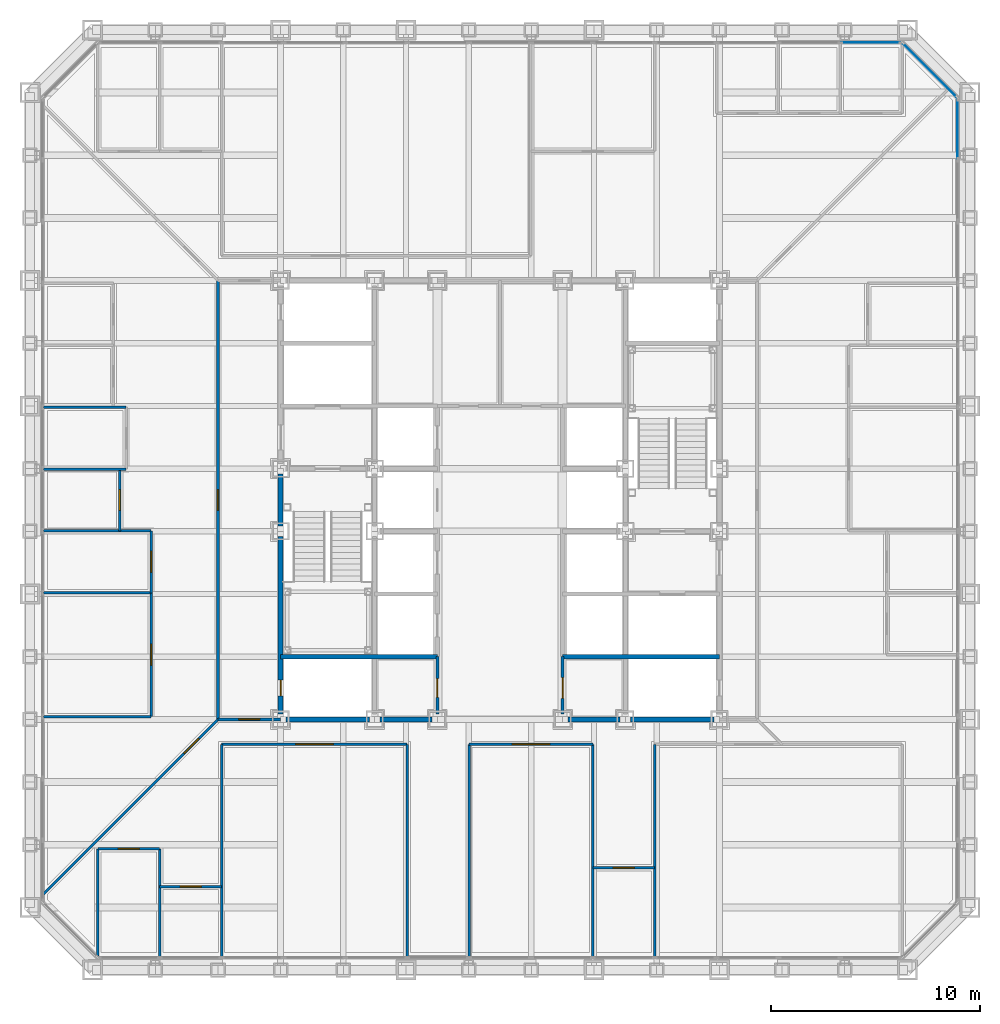
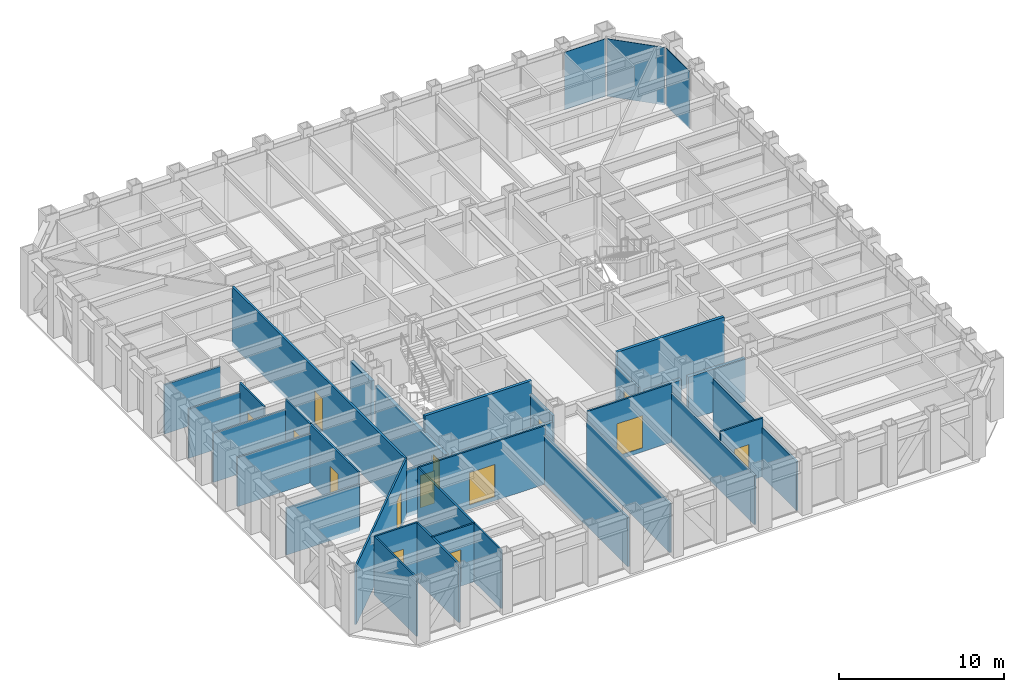
# One storey, part 8 of 17: 33 walls, 14 doors, 3 plates, 14 openings, 3 elements without a shape of their own.
"""IFC4 building model written with IfcOpenShell, lengths in metres."""

from ifc_helpers import new_model, si_unit, direction, frame, frame_2d, origin, origin_2d, place, context, subcontext, project, spatial, rectangle, extrude, material, layer, layer_set, type_object, element, fill, aggregate, save


model = new_model("IFC4")

# Units and contexts
model_context = context("Model", 3, precision=1e-05, world=origin(), true_north=direction((0.0, 1.0)))
body_context = subcontext(model_context, "Body", "Model", "MODEL_VIEW")
ifc_project = project(units=[si_unit("LENGTHUNIT", "METRE"), si_unit("AREAUNIT", "SQUARE_METRE"), si_unit("VOLUMEUNIT", "CUBIC_METRE"), si_unit("PLANEANGLEUNIT", "RADIAN"), si_unit("MASSUNIT", "GRAM", prefix="KILO")], contexts=[model_context])

# Site, building, storey
site_placement = place(None, origin())
site = spatial("IfcSite", under=ifc_project, at=site_placement, CompositionType="ELEMENT")
building_placement = place(site_placement, origin())
building = spatial("IfcBuilding", under=site, at=building_placement, Name="Chuquiago Exchange Tower", CompositionType="ELEMENT")
storey_placement = place(building_placement, frame((0.0, 0.0, 64.800048828125)))
storey = spatial("IfcBuildingStorey", under=building, at=storey_placement, Name="L13", CompositionType="ELEMENT", Elevation=64.800048828125)

# Curtain wall, plate
ifc_material_1 = material(Name="Aluminium curtain wall system", Category="aluminium")
ifc_layer_1 = layer(ifc_material_1, 0.25)
ifc_layer_set_1 = layer_set([ifc_layer_1], Name="CW1 trading floor curtain wall")
curtain_wall_type_1 = type_object("IfcCurtainWallType", Name="CW1 trading floor curtain wall", PredefinedType="NOTDEFINED", material=ifc_layer_set_1)
curtain_wall_1_placement = place(storey_placement, origin())
curtain_wall_1 = element("IfcCurtainWall", 1, at=curtain_wall_1_placement, inside=storey, type_object=curtain_wall_type_1, Name="CW1 curtain wall L13", PredefinedType="NOTDEFINED")
ifc_material_2 = material(Name="Insulated spandrel panel, pale anodised aluminium", Category="aluminium")
ifc_layer_2 = layer(ifc_material_2, 0.031982421875)
ifc_layer_set_2 = layer_set([ifc_layer_2], Name="CW1-P spandrel panel 32")
plate_type_1 = type_object("IfcPlateType", Name="CW1-P spandrel panel 32", PredefinedType="CURTAIN_PANEL", material=ifc_layer_set_2)
plate_1_placement = place(storey_placement, frame((44.39990234375, 40.251953125, -0.22509765625), z_axis=(0.0, 0.0, 1.0), x_axis=(0.0, 1.0, 0.0)))
plate_1 = element("IfcPlate", 2, at=plate_1_placement, type_object=plate_type_1, Name="CW1 panel 13.1", PredefinedType="CURTAIN_PANEL", context=body_context, shape_type="SweptSolid", body=[
    extrude(rectangle(XDim=2.849365234375, YDim=0.031982421875, at=origin_2d()), origin(), (0.0, 0.0, 1.0), 4.264892578125),
])
aggregate(curtain_wall_1, [plate_1])

curtain_wall_2_placement = place(storey_placement, origin())
curtain_wall_2 = element("IfcCurtainWall", 3, at=curtain_wall_2_placement, inside=storey, type_object=curtain_wall_type_1, Name="CW1 curtain wall L13", PredefinedType="NOTDEFINED")
plate_2_placement = place(storey_placement, frame((40.251953125, 44.39990234375, -0.22509765625), z_axis=(0.0, 0.0, 1.0), x_axis=(-1.0, 0.0, 0.0)))
plate_2 = element("IfcPlate", 4, at=plate_2_placement, type_object=plate_type_1, Name="CW1 panel 1.1", PredefinedType="CURTAIN_PANEL", context=body_context, shape_type="SweptSolid", body=[
    extrude(rectangle(XDim=2.849365234375, YDim=0.031982421875, at=origin_2d()), origin(), (0.0, 0.0, 1.0), 4.264892578125),
])
aggregate(curtain_wall_2, [plate_2])

ifc_material_3 = material(Name="Aluminium curtain wall system", Category="aluminium")
ifc_layer_3 = layer(ifc_material_3, 0.199951171875)
ifc_layer_set_3 = layer_set([ifc_layer_3], Name="CW3 facet curtain wall")
curtain_wall_type_2 = type_object("IfcCurtainWallType", Name="CW3 facet curtain wall", PredefinedType="NOTDEFINED", material=ifc_layer_set_3)
curtain_wall_3_placement = place(storey_placement, origin())
curtain_wall_3 = element("IfcCurtainWall", 5, at=curtain_wall_3_placement, inside=storey, type_object=curtain_wall_type_2, Name="CW3 curtain wall L13", PredefinedType="NOTDEFINED")
ifc_material_4 = material(Name="Insulated spandrel panel, pale anodised aluminium", Category="aluminium")
ifc_layer_4 = layer(ifc_material_4, 0.030029296875)
ifc_layer_set_4 = layer_set([ifc_layer_4], Name="CW3-P spandrel panel 30")
plate_type_2 = type_object("IfcPlateType", Name="CW3-P spandrel panel 30", PredefinedType="CURTAIN_PANEL", material=ifc_layer_set_4)
plate_3_placement = place(storey_placement, frame((43.07568359375, 43.07568359375, -0.235107421875), z_axis=(0.0, 0.0, 1.0), x_axis=(-0.707106781187, 0.707106781187, 0.0)))
plate_3 = element("IfcPlate", 6, at=plate_3_placement, type_object=plate_type_2, Name="CW3 panel 1.1", PredefinedType="CURTAIN_PANEL", context=body_context, shape_type="SweptSolid", body=[
    extrude(rectangle(XDim=3.615478515625, YDim=0.030029296875, at=origin_2d()), origin(), (0.0, 0.0, 1.0), 4.27490234375),
])
aggregate(curtain_wall_3, [plate_3])

# Wall, opening, door
ifc_material_5 = material(Name="Concrete masonry, fully grouted", Category="masonry")
ifc_layer_5 = layer(ifc_material_5, 0.25)
ifc_layer_set_5 = layer_set([ifc_layer_5], Name="W1 core wall 250")
wall_type_1 = type_object("IfcWallType", Name="W1 core wall 250", PredefinedType="SOLIDWALL", material=ifc_layer_set_5)
wall_1_placement = place(storey_placement, frame((12.0, 12.25, 0.0), z_axis=(0.0, 0.0, 1.0), x_axis=(0.0, 1.0, 0.0)))
wall_1 = element("IfcWall", 7, at=wall_1_placement, inside=storey, type_object=wall_type_1, Name="CW-L13-00-0", PredefinedType="SOLIDWALL", context=body_context, shape_type="SweptSolid", body=[
    extrude(rectangle(XDim=8.5, YDim=0.25, at=frame_2d((4.25, 0.0))), origin(), (0.0, 0.0, 1.0), 3.11279296875),
])
opening_1_placement = place(wall_1_placement, frame((0.875, 0.0, 0.0)))
opening_1 = element("IfcOpeningElement", 8, at=opening_1_placement, cuts=wall_1, Name="Opening L13-007", PredefinedType="OPENING", context=body_context, shape_type="SweptSolid", body=[
    extrude(rectangle(XDim=0.75, YDim=2.10009765625, at=frame_2d((0.375, 1.050048828125))), frame((0.0, 0.135009765625, 0.0), z_axis=(0.0, -1.0, 0.0), x_axis=(1.0, 0.0, 0.0)), (0.0, 0.0, 1.0), 0.27001953125),
])
ifc_material_6 = material(Name="Steel door, painted", Category="steel")
door_type_1 = type_object("IfcDoorType", Name="D6 riser access door 750x2100", OperationType="SINGLE_SWING_LEFT", PredefinedType="DOOR", material=ifc_material_6)
door_1_placement = place(opening_1_placement, origin())
door_1 = element("IfcDoor", 9, at=door_1_placement, inside=storey, type_object=door_type_1, Name="Riser RW1 door", OperationType="SINGLE_SWING_LEFT", OverallHeight=2.10009765625, OverallWidth=0.75, PredefinedType="DOOR", context=body_context, shape_type="SweptSolid", body=[
    extrude(rectangle(XDim=0.75, YDim=2.10009765625, at=frame_2d((0.375, 1.050048828125))), frame((0.0, 0.02490234375, 0.0), z_axis=(0.0, -1.0, 0.0), x_axis=(1.0, 0.0, 0.0)), (0.0, 0.0, 1.0), 0.050048828125),
])
fill(opening_1, door_1)

# Walls
wall_2_placement = place(storey_placement, frame((12.0, 21.25, 0.0), z_axis=(0.0, 0.0, 1.0), x_axis=(0.0, 1.0, 0.0)))
element("IfcWall", 10, at=wall_2_placement, inside=storey, type_object=wall_type_1, Name="CW-L13-00-1", PredefinedType="SOLIDWALL", context=body_context, shape_type="SweptSolid", body=[
    extrude(rectangle(XDim=2.5, YDim=0.25, at=frame_2d((1.25, 0.0))), origin(), (0.0, 0.0, 1.0), 3.11279296875),
])
wall_3_placement = place(storey_placement, frame((12.25, 12.0, 0.0), z_axis=(0.0, 0.0, 1.0), x_axis=(1.0, 0.0, 0.0)))
element("IfcWall", 11, at=wall_3_placement, inside=storey, type_object=wall_type_1, Name="CW-L13-01-0", PredefinedType="SOLIDWALL", context=body_context, shape_type="SweptSolid", body=[
    extrude(rectangle(XDim=4.0, YDim=0.25, at=frame_2d((2.0, 0.0))), origin(), (0.0, 0.0, 1.0), 3.181396484375),
])
for number, where, z_axis, x_axis, name in (
    (12, (16.75, 12.0, 0.0), (0.0, 0.0, 1.0), (1.0, 0.0, 0.0), "CW-L13-01-1"),
    (13, (25.75, 12.0, 0.0), (0.0, 0.0, 1.0), (1.0, 0.0, 0.0), "CW-L13-02-0"),
):
    element("IfcWall", number, at=place(storey_placement, frame(where, z_axis=z_axis, x_axis=x_axis)), inside=storey, type_object=wall_type_1, Name=name, PredefinedType="SOLIDWALL", context=body_context, shape_type="SweptSolid", body=[
        extrude(rectangle(XDim=2.5, YDim=0.25, at=frame_2d((1.25, 0.0))), origin(), (0.0, 0.0, 1.0), 3.181396484375),
    ])
wall_4_placement = place(storey_placement, frame((28.75, 12.0, 0.0), z_axis=(0.0, 0.0, 1.0), x_axis=(1.0, 0.0, 0.0)))
element("IfcWall", 14, at=wall_4_placement, inside=storey, type_object=wall_type_1, Name="CW-L13-02-1", PredefinedType="SOLIDWALL", context=body_context, shape_type="SweptSolid", body=[
    extrude(rectangle(XDim=4.0, YDim=0.25, at=frame_2d((2.0, 0.0))), origin(), (0.0, 0.0, 1.0), 3.181396484375),
])

# Wall, opening, door
ifc_material_7 = material(Name="Gypsum board on steel studs, acoustic insulation", Category="steel")
ifc_layer_6 = layer(ifc_material_7, 0.14990234375)
ifc_layer_set_6 = layer_set([ifc_layer_6], Name="W11 corridor wall 150")
wall_type_2 = type_object("IfcWallType", Name="W11 corridor wall 150", PredefinedType="PARTITIONING", material=ifc_layer_set_6)
wall_5_placement = place(storey_placement, frame((9.0, 12.0, -0.300048828125), z_axis=(0.0, 0.0, 1.0), x_axis=(0.0, 1.0, 0.0)))
wall_5 = element("IfcWall", 15, at=wall_5_placement, inside=storey, type_object=wall_type_2, Name="PW-L13-GW0", PredefinedType="PARTITIONING", context=body_context, shape_type="SweptSolid", body=[
    extrude(rectangle(XDim=21.0, YDim=0.14990234375, at=frame_2d((10.5, 0.0))), origin(), (0.0, 0.0, 1.0), 4.340087890625),
])
opening_2_placement = place(wall_5_placement, frame((10.0, 0.0, 0.300048828125)))
opening_2 = element("IfcOpeningElement", 16, at=opening_2_placement, cuts=wall_5, Name="Opening L13-043", PredefinedType="OPENING", context=body_context, shape_type="SweptSolid", body=[
    extrude(rectangle(XDim=1.0, YDim=2.39990234375, at=frame_2d((0.5, 1.199951171875))), frame((0.0, 0.0849609375, 0.0), z_axis=(0.0, -1.0, 0.0), x_axis=(1.0, 0.0, 0.0)), (0.0, 0.0, 1.0), 0.169921875),
])
ifc_material_8 = material(Name="Timber door, laminate faced", Category="wood")
door_type_2 = type_object("IfcDoorType", Name="D9 room door 1000x2400", OperationType="SINGLE_SWING_LEFT", PredefinedType="DOOR", material=ifc_material_8)
door_2_placement = place(opening_2_placement, origin())
door_2 = element("IfcDoor", 17, at=door_2_placement, inside=storey, type_object=door_type_2, Name="Team area door", OperationType="SINGLE_SWING_LEFT", OverallHeight=2.39990234375, OverallWidth=1.0, PredefinedType="DOOR", context=body_context, shape_type="SweptSolid", body=[
    extrude(rectangle(XDim=1.0, YDim=2.39990234375, at=frame_2d((0.5, 1.199951171875))), frame((0.0, 0.02490234375, 0.0), z_axis=(0.0, -1.0, 0.0), x_axis=(1.0, 0.0, 0.0)), (0.0, 0.0, 1.0), 0.050048828125),
])
fill(opening_2, door_2)

wall_6_placement = place(storey_placement, frame((9.0, 12.0, -0.300048828125), z_axis=(0.0, 0.0, 1.0), x_axis=(1.0, 0.0, 0.0)))
wall_6 = element("IfcWall", 18, at=wall_6_placement, inside=storey, type_object=wall_type_2, Name="PW-L13-GWS0", PredefinedType="PARTITIONING", context=body_context, shape_type="SweptSolid", body=[
    extrude(rectangle(XDim=3.0, YDim=0.14990234375, at=frame_2d((1.5, 0.0))), origin(), (0.0, 0.0, 1.0), 3.4814453125),
])
opening_3_placement = place(wall_6_placement, frame((1.0, 0.0, 0.300048828125)))
opening_3 = element("IfcOpeningElement", 19, at=opening_3_placement, cuts=wall_6, Name="Opening L13-045", PredefinedType="OPENING", context=body_context, shape_type="SweptSolid", body=[
    extrude(rectangle(XDim=1.0, YDim=2.39990234375, at=frame_2d((0.5, 1.199951171875))), frame((0.0, 0.0849609375, 0.0), z_axis=(0.0, -1.0, 0.0), x_axis=(1.0, 0.0, 0.0)), (0.0, 0.0, 1.0), 0.169921875),
])
door_3_placement = place(opening_3_placement, origin())
door_3 = element("IfcDoor", 20, at=door_3_placement, inside=storey, type_object=door_type_2, Name="Team area door", OperationType="SINGLE_SWING_RIGHT", OverallHeight=2.39990234375, OverallWidth=1.0, PredefinedType="DOOR", context=body_context, shape_type="SweptSolid", body=[
    extrude(rectangle(XDim=1.0, YDim=2.39990234375, at=frame_2d((0.5, 1.199951171875))), frame((0.0, 0.02490234375, 0.0), z_axis=(0.0, -1.0, 0.0), x_axis=(1.0, 0.0, 0.0)), (0.0, 0.0, 1.0), 0.050048828125),
])
fill(opening_3, door_3)

# Walls
ifc_material_9 = material(Name="Concrete masonry, fully grouted", Category="masonry")
ifc_layer_7 = layer(ifc_material_9, 0.199951171875)
ifc_layer_set_7 = layer_set([ifc_layer_7], Name="W2 shaft wall 200")
wall_type_3 = type_object("IfcWallType", Name="W2 shaft wall 200", PredefinedType="SOLIDWALL", material=ifc_layer_set_7)
for number, where, z_axis, x_axis, name in (
    (21, (12.0, 15.0, 0.0), (0.0, 0.0, 1.0), (1.0, 0.0, 0.0), "CW-L13-03-0"),
    (22, (25.5, 15.0, 0.0), (0.0, 0.0, 1.0), (1.0, 0.0, 0.0), "CW-L13-04-0"),
):
    element("IfcWall", number, at=place(storey_placement, frame(where, z_axis=z_axis, x_axis=x_axis)), inside=storey, type_object=wall_type_3, Name=name, PredefinedType="SOLIDWALL", context=body_context, shape_type="SweptSolid", body=[
        extrude(rectangle(XDim=7.5, YDim=0.199951171875, at=frame_2d((3.75, 0.0))), origin(), (0.0, 0.0, 1.0), 4.33984375),
    ])

# Wall, opening, door
ifc_material_10 = material(Name="Gypsum board on steel studs", Category="steel")
ifc_layer_8 = layer(ifc_material_10, 0.14990234375)
ifc_layer_set_8 = layer_set([ifc_layer_8], Name="W3 core partition 150")
wall_type_4 = type_object("IfcWallType", Name="W3 core partition 150", PredefinedType="PARTITIONING", material=ifc_layer_set_8)
wall_7_placement = place(storey_placement, frame((19.5, 12.25, 0.0), z_axis=(0.0, 0.0, 1.0), x_axis=(0.0, 1.0, 0.0)))
wall_7 = element("IfcWall", 23, at=wall_7_placement, inside=storey, type_object=wall_type_4, Name="CW-L13-18-0", PredefinedType="PARTITIONING", context=body_context, shape_type="SweptSolid", body=[
    extrude(rectangle(XDim=2.75, YDim=0.14990234375, at=frame_2d((1.375, 0.0))), origin(), (0.0, 0.0, 1.0), 3.364501953125),
])
opening_4_placement = place(wall_7_placement, frame((0.800048828125, 0.0, 0.0)))
opening_4 = element("IfcOpeningElement", 24, at=opening_4_placement, cuts=wall_7, Name="Opening L13-014", PredefinedType="OPENING", context=body_context, shape_type="SweptSolid", body=[
    extrude(rectangle(XDim=0.89990234375, YDim=2.10009765625, at=frame_2d((0.449951171875, 1.050048828125))), frame((0.0, 0.0849609375, 0.0), z_axis=(0.0, -1.0, 0.0), x_axis=(1.0, 0.0, 0.0)), (0.0, 0.0, 1.0), 0.169921875),
])
ifc_material_11 = material(Name="Timber door, laminate faced", Category="wood")
door_type_3 = type_object("IfcDoorType", Name="D7 toilet door 900x2100", OperationType="SINGLE_SWING_LEFT", PredefinedType="DOOR", material=ifc_material_11)
door_4_placement = place(opening_4_placement, frame((0.89990234375, 0.0, 0.0), z_axis=(0.0, 0.0, 1.0), x_axis=(-1.0, 0.0, 0.0)))
door_4 = element("IfcDoor", 25, at=door_4_placement, inside=storey, type_object=door_type_3, Name="Cleaner door", OperationType="SINGLE_SWING_RIGHT", OverallHeight=2.10009765625, OverallWidth=0.89990234375, PredefinedType="DOOR", context=body_context, shape_type="SweptSolid", body=[
    extrude(rectangle(XDim=0.89990234375, YDim=2.10009765625, at=frame_2d((0.449951171875, 1.050048828125))), frame((0.0, 0.02490234375, 0.0), z_axis=(0.0, -1.0, 0.0), x_axis=(1.0, 0.0, 0.0)), (0.0, 0.0, 1.0), 0.050048828125),
])
fill(opening_4, door_4)

wall_8_placement = place(storey_placement, frame((25.5, 12.25, 0.0), z_axis=(0.0, 0.0, 1.0), x_axis=(0.0, 1.0, 0.0)))
wall_8 = element("IfcWall", 26, at=wall_8_placement, inside=storey, type_object=wall_type_4, Name="CW-L13-21-0", PredefinedType="PARTITIONING", context=body_context, shape_type="SweptSolid", body=[
    extrude(rectangle(XDim=2.75, YDim=0.14990234375, at=frame_2d((1.375, 0.0))), origin(), (0.0, 0.0, 1.0), 3.364501953125),
])
opening_5_placement = place(wall_8_placement, frame((0.75, 0.0, 0.0)))
opening_5 = element("IfcOpeningElement", 27, at=opening_5_placement, cuts=wall_8, Name="Opening L13-013", PredefinedType="OPENING", context=body_context, shape_type="SweptSolid", body=[
    extrude(rectangle(XDim=1.0, YDim=2.10009765625, at=frame_2d((0.5, 1.050048828125))), frame((0.0, 0.0849609375, 0.0), z_axis=(0.0, -1.0, 0.0), x_axis=(1.0, 0.0, 0.0)), (0.0, 0.0, 1.0), 0.169921875),
])
ifc_material_12 = material(Name="Timber door, laminate faced", Category="wood")
door_type_4 = type_object("IfcDoorType", Name="D8 accessible toilet door 1000x2100", OperationType="SLIDING_TO_LEFT", PredefinedType="DOOR", material=ifc_material_12)
door_5_placement = place(opening_5_placement, origin())
door_5 = element("IfcDoor", 28, at=door_5_placement, inside=storey, type_object=door_type_4, Name="Accessible WC door", OperationType="SLIDING_TO_LEFT", OverallHeight=2.10009765625, OverallWidth=1.0, PredefinedType="DOOR", context=body_context, shape_type="SweptSolid", body=[
    extrude(rectangle(XDim=1.0, YDim=2.10009765625, at=frame_2d((0.5, 1.050048828125))), frame((0.0, 0.02490234375, 0.0), z_axis=(0.0, -1.0, 0.0), x_axis=(1.0, 0.0, 0.0)), (0.0, 0.0, 1.0), 0.050048828125),
])
fill(opening_5, door_5)

# Walls
ifc_material_13 = material(Name="Gypsum board on steel studs", Category="steel")
ifc_layer_9 = layer(ifc_material_13, 0.1201171875)
ifc_layer_set_9 = layer_set([ifc_layer_9], Name="W4 partition 120")
wall_type_5 = type_object("IfcWallType", Name="W4 partition 120", PredefinedType="PARTITIONING", material=ifc_layer_set_9)
wall_9_placement = place(storey_placement, frame((3.24853515625, 0.666015625, -0.300048828125), z_axis=(0.0, 0.0, 1.0), x_axis=(0.0, 1.0, 0.0)))
element("IfcWall", 29, at=wall_9_placement, inside=storey, type_object=wall_type_5, Name="PW-L13-S00325", PredefinedType="PARTITIONING", context=body_context, shape_type="SweptSolid", body=[
    extrude(rectangle(XDim=5.134033203125, YDim=0.1201171875, at=frame_2d((2.56689453125, 0.0))), origin(), (0.0, 0.0, 1.0), 4.340087890625),
])
wall_10_placement = place(storey_placement, frame((6.210205078125, 0.657470703125, -0.300048828125), z_axis=(0.0, 0.0, 1.0), x_axis=(0.0, 1.0, 0.0)))
element("IfcWall", 30, at=wall_10_placement, inside=storey, type_object=wall_type_5, Name="PW-L13-S00621", PredefinedType="PARTITIONING", context=body_context, shape_type="SweptSolid", body=[
    extrude(rectangle(XDim=5.142578125, YDim=0.1201171875, at=frame_2d((2.5712890625, 0.0))), origin(), (0.0, 0.0, 1.0), 4.340087890625),
])
wall_11_placement = place(storey_placement, frame((9.172119140625, 0.657470703125, -0.300048828125), z_axis=(0.0, 0.0, 1.0), x_axis=(0.0, 1.0, 0.0)))
element("IfcWall", 31, at=wall_11_placement, inside=storey, type_object=wall_type_5, Name="PW-L13-S00917", PredefinedType="PARTITIONING", context=body_context, shape_type="SweptSolid", body=[
    extrude(rectangle(XDim=10.142578125, YDim=0.1201171875, at=frame_2d((5.0712890625, 0.0))), origin(), (0.0, 0.0, 1.0), 4.340087890625),
])
for number, where, z_axis, x_axis, name in (
    (32, (18.057373046875, 0.657470703125, -0.300048828125), (0.0, 0.0, 1.0), (0.0, 1.0, 0.0), "PW-L13-S01806"),
    (33, (21.01904296875, 0.657470703125, -0.300048828125), (0.0, 0.0, 1.0), (0.0, 1.0, 0.0), "PW-L13-S02102"),
    (34, (26.942626953125, 0.657470703125, -0.300048828125), (0.0, 0.0, 1.0), (0.0, 1.0, 0.0), "PW-L13-S02694"),
    (35, (29.904296875, 0.657470703125, -0.300048828125), (0.0, 0.0, 1.0), (0.0, 1.0, 0.0), "PW-L13-S02990"),
):
    element("IfcWall", number, at=place(storey_placement, frame(where, z_axis=z_axis, x_axis=x_axis)), inside=storey, type_object=wall_type_5, Name=name, PredefinedType="PARTITIONING", context=body_context, shape_type="SweptSolid", body=[
        extrude(rectangle(XDim=10.142578125, YDim=0.1201171875, at=frame_2d((5.0712890625, 0.0))), origin(), (0.0, 0.0, 1.0), 3.646484375),
    ])

# Wall, opening, door
wall_12_placement = place(storey_placement, frame((3.24853515625, 5.800048828125, -0.300048828125), z_axis=(0.0, 0.0, 1.0), x_axis=(1.0, 0.0, 0.0)))
wall_12 = element("IfcWall", 36, at=wall_12_placement, inside=storey, type_object=wall_type_5, Name="PW-L13-SF00325", PredefinedType="PARTITIONING", context=body_context, shape_type="SweptSolid", body=[
    extrude(rectangle(XDim=2.961669921875, YDim=0.1201171875, at=frame_2d((1.48095703125, 0.0))), origin(), (0.0, 0.0, 1.0), 4.340087890625),
])
opening_6_placement = place(wall_12_placement, frame((0.98095703125, 0.0, 0.300048828125)))
opening_6 = element("IfcOpeningElement", 37, at=opening_6_placement, cuts=wall_12, Name="Opening L13-019", PredefinedType="OPENING", context=body_context, shape_type="SweptSolid", body=[
    extrude(rectangle(XDim=1.0, YDim=2.39990234375, at=frame_2d((0.5, 1.199951171875))), frame((0.0, 0.070068359375, 0.0), z_axis=(0.0, -1.0, 0.0), x_axis=(1.0, 0.0, 0.0)), (0.0, 0.0, 1.0), 0.14013671875),
])
door_6_placement = place(opening_6_placement, frame((1.0, 0.0, 0.0), z_axis=(0.0, 0.0, 1.0), x_axis=(-1.0, 0.0, 0.0)))
door_6 = element("IfcDoor", 38, at=door_6_placement, inside=storey, type_object=door_type_2, Name="Office door", OperationType="SINGLE_SWING_RIGHT", OverallHeight=2.39990234375, OverallWidth=1.0, PredefinedType="DOOR", context=body_context, shape_type="SweptSolid", body=[
    extrude(rectangle(XDim=1.0, YDim=2.39990234375, at=frame_2d((0.5, 1.199951171875))), frame((0.0, 0.02490234375, 0.0), z_axis=(0.0, -1.0, 0.0), x_axis=(1.0, 0.0, 0.0)), (0.0, 0.0, 1.0), 0.050048828125),
])
fill(opening_6, door_6)

wall_13_placement = place(storey_placement, frame((6.210205078125, 4.0, -0.300048828125), z_axis=(0.0, 0.0, 1.0), x_axis=(1.0, 0.0, 0.0)))
wall_13 = element("IfcWall", 39, at=wall_13_placement, inside=storey, type_object=wall_type_5, Name="PW-L13-SF00621", PredefinedType="PARTITIONING", context=body_context, shape_type="SweptSolid", body=[
    extrude(rectangle(XDim=2.9619140625, YDim=0.1201171875, at=frame_2d((1.48095703125, 0.0))), origin(), (0.0, 0.0, 1.0), 4.340087890625),
])
opening_7_placement = place(wall_13_placement, frame((0.98095703125, 0.0, 0.300048828125)))
opening_7 = element("IfcOpeningElement", 40, at=opening_7_placement, cuts=wall_13, Name="Opening L13-020", PredefinedType="OPENING", context=body_context, shape_type="SweptSolid", body=[
    extrude(rectangle(XDim=1.0, YDim=2.39990234375, at=frame_2d((0.5, 1.199951171875))), frame((0.0, 0.070068359375, 0.0), z_axis=(0.0, -1.0, 0.0), x_axis=(1.0, 0.0, 0.0)), (0.0, 0.0, 1.0), 0.14013671875),
])
ifc_material_14 = material(Name="Timber frame door, full height glazed panel", Category="wood")
door_type_5 = type_object("IfcDoorType", Name="D14 glazed meeting room door 1000x2400", OperationType="SINGLE_SWING_LEFT", PredefinedType="DOOR", material=ifc_material_14)
door_7_placement = place(opening_7_placement, frame((1.0, 0.0, 0.0), z_axis=(0.0, 0.0, 1.0), x_axis=(-1.0, 0.0, 0.0)))
door_7 = element("IfcDoor", 41, at=door_7_placement, inside=storey, type_object=door_type_5, Name="Focus room door", OperationType="SINGLE_SWING_RIGHT", OverallHeight=2.39990234375, OverallWidth=1.0, PredefinedType="DOOR", context=body_context, shape_type="SweptSolid", body=[
    extrude(rectangle(XDim=1.0, YDim=2.39990234375, at=frame_2d((0.5, 1.199951171875))), frame((0.0, 0.02490234375, 0.0), z_axis=(0.0, -1.0, 0.0), x_axis=(1.0, 0.0, 0.0)), (0.0, 0.0, 1.0), 0.050048828125),
])
fill(opening_7, door_7)

wall_14_placement = place(storey_placement, frame((9.172119140625, 10.800048828125, -0.300048828125), z_axis=(0.0, 0.0, 1.0), x_axis=(1.0, 0.0, 0.0)))
wall_14 = element("IfcWall", 42, at=wall_14_placement, inside=storey, type_object=wall_type_5, Name="PW-L13-SF00917", PredefinedType="PARTITIONING", context=body_context, shape_type="SweptSolid", body=[
    extrude(rectangle(XDim=8.88525390625, YDim=0.1201171875, at=frame_2d((4.442626953125, 0.0))), origin(), (0.0, 0.0, 1.0), 4.340087890625),
])
opening_8_placement = place(wall_14_placement, frame((3.542724609375, 0.0, 0.300048828125)))
opening_8 = element("IfcOpeningElement", 43, at=opening_8_placement, cuts=wall_14, Name="Opening L13-021", PredefinedType="OPENING", context=body_context, shape_type="SweptSolid", body=[
    extrude(rectangle(XDim=1.800048828125, YDim=2.39990234375, at=frame_2d((0.89990234375, 1.199951171875))), frame((0.0, 0.070068359375, 0.0), z_axis=(0.0, -1.0, 0.0), x_axis=(1.0, 0.0, 0.0)), (0.0, 0.0, 1.0), 0.14013671875),
])
ifc_material_15 = material(Name="Timber door pair, laminate faced", Category="wood")
door_type_6 = type_object("IfcDoorType", Name="D15 double room door 1800x2400", OperationType="DOUBLE_DOOR_DOUBLE_SWING", PredefinedType="DOOR", material=ifc_material_15)
door_8_placement = place(opening_8_placement, origin())
door_8 = element("IfcDoor", 44, at=door_8_placement, inside=storey, type_object=door_type_6, Name="Trading room door", OperationType="DOUBLE_DOOR_DOUBLE_SWING", OverallHeight=2.39990234375, OverallWidth=1.800048828125, PredefinedType="DOOR", context=body_context, shape_type="SweptSolid", body=[
    extrude(rectangle(XDim=1.800048828125, YDim=2.39990234375, at=frame_2d((0.89990234375, 1.199951171875))), frame((0.0, 0.02490234375, 0.0), z_axis=(0.0, -1.0, 0.0), x_axis=(1.0, 0.0, 0.0)), (0.0, 0.0, 1.0), 0.050048828125),
])
fill(opening_8, door_8)

wall_15_placement = place(storey_placement, frame((21.01904296875, 10.800048828125, -0.300048828125), z_axis=(0.0, 0.0, 1.0), x_axis=(1.0, 0.0, 0.0)))
wall_15 = element("IfcWall", 45, at=wall_15_placement, inside=storey, type_object=wall_type_5, Name="PW-L13-SF02102", PredefinedType="PARTITIONING", context=body_context, shape_type="SweptSolid", body=[
    extrude(rectangle(XDim=5.923583984375, YDim=0.1201171875, at=frame_2d((2.9619140625, 0.0))), origin(), (0.0, 0.0, 1.0), 4.340087890625),
])
opening_9_placement = place(wall_15_placement, frame((2.061767578125, 0.0, 0.300048828125)))
opening_9 = element("IfcOpeningElement", 46, at=opening_9_placement, cuts=wall_15, Name="Opening L13-022", PredefinedType="OPENING", context=body_context, shape_type="SweptSolid", body=[
    extrude(rectangle(XDim=1.800048828125, YDim=2.39990234375, at=frame_2d((0.89990234375, 1.199951171875))), frame((0.0, 0.070068359375, 0.0), z_axis=(0.0, -1.0, 0.0), x_axis=(1.0, 0.0, 0.0)), (0.0, 0.0, 1.0), 0.14013671875),
])
door_9_placement = place(opening_9_placement, origin())
door_9 = element("IfcDoor", 47, at=door_9_placement, inside=storey, type_object=door_type_6, Name="Trading room door", OperationType="DOUBLE_DOOR_DOUBLE_SWING", OverallHeight=2.39990234375, OverallWidth=1.800048828125, PredefinedType="DOOR", context=body_context, shape_type="SweptSolid", body=[
    extrude(rectangle(XDim=1.800048828125, YDim=2.39990234375, at=frame_2d((0.89990234375, 1.199951171875))), frame((0.0, 0.02490234375, 0.0), z_axis=(0.0, -1.0, 0.0), x_axis=(1.0, 0.0, 0.0)), (0.0, 0.0, 1.0), 0.050048828125),
])
fill(opening_9, door_9)

wall_16_placement = place(storey_placement, frame((26.942626953125, 4.89990234375, -0.300048828125), z_axis=(0.0, 0.0, 1.0), x_axis=(1.0, 0.0, 0.0)))
wall_16 = element("IfcWall", 48, at=wall_16_placement, inside=storey, type_object=wall_type_5, Name="PW-L13-SF02694", PredefinedType="PARTITIONING", context=body_context, shape_type="SweptSolid", body=[
    extrude(rectangle(XDim=2.961669921875, YDim=0.1201171875, at=frame_2d((1.48095703125, 0.0))), origin(), (0.0, 0.0, 1.0), 4.340087890625),
])
opening_10_placement = place(wall_16_placement, frame((0.98095703125, 0.0, 0.300048828125)))
opening_10 = element("IfcOpeningElement", 49, at=opening_10_placement, cuts=wall_16, Name="Opening L13-023", PredefinedType="OPENING", context=body_context, shape_type="SweptSolid", body=[
    extrude(rectangle(XDim=1.0, YDim=2.39990234375, at=frame_2d((0.5, 1.199951171875))), frame((0.0, 0.070068359375, 0.0), z_axis=(0.0, -1.0, 0.0), x_axis=(1.0, 0.0, 0.0)), (0.0, 0.0, 1.0), 0.14013671875),
])
door_10_placement = place(opening_10_placement, frame((1.0, 0.0, 0.0), z_axis=(0.0, 0.0, 1.0), x_axis=(-1.0, 0.0, 0.0)))
door_10 = element("IfcDoor", 50, at=door_10_placement, inside=storey, type_object=door_type_2, Name="Comms room door", OperationType="SINGLE_SWING_RIGHT", OverallHeight=2.39990234375, OverallWidth=1.0, PredefinedType="DOOR", context=body_context, shape_type="SweptSolid", body=[
    extrude(rectangle(XDim=1.0, YDim=2.39990234375, at=frame_2d((0.5, 1.199951171875))), frame((0.0, 0.02490234375, 0.0), z_axis=(0.0, -1.0, 0.0), x_axis=(1.0, 0.0, 0.0)), (0.0, 0.0, 1.0), 0.050048828125),
])
fill(opening_10, door_10)

# Walls
wall_17_placement = place(storey_placement, frame((0.657470703125, 12.1337890625, -0.300048828125), z_axis=(0.0, 0.0, 1.0), x_axis=(1.0, 0.0, 0.0)))
element("IfcWall", 51, at=wall_17_placement, inside=storey, type_object=wall_type_5, Name="PW-L13-W01213", PredefinedType="PARTITIONING", context=body_context, shape_type="SweptSolid", body=[
    extrude(rectangle(XDim=5.142578125, YDim=0.1201171875, at=frame_2d((2.5712890625, 0.0))), origin(), (0.0, 0.0, 1.0), 3.4814453125),
])
for number, where, z_axis, x_axis, name in (
    (52, (0.657470703125, 18.057373046875, -0.300048828125), (0.0, 0.0, 1.0), (1.0, 0.0, 0.0), "PW-L13-W01806"),
    (53, (0.657470703125, 21.01904296875, -0.300048828125), (0.0, 0.0, 1.0), (1.0, 0.0, 0.0), "PW-L13-W02102"),
):
    element("IfcWall", number, at=place(storey_placement, frame(where, z_axis=z_axis, x_axis=x_axis)), inside=storey, type_object=wall_type_5, Name=name, PredefinedType="PARTITIONING", context=body_context, shape_type="SweptSolid", body=[
        extrude(rectangle(XDim=5.142578125, YDim=0.1201171875, at=frame_2d((2.5712890625, 0.0))), origin(), (0.0, 0.0, 1.0), 3.646484375),
    ])
for number, where, z_axis, x_axis, name in (
    (54, (0.657470703125, 23.98095703125, -0.300048828125), (0.0, 0.0, 1.0), (1.0, 0.0, 0.0), "PW-L13-W02398"),
    (55, (0.657470703125, 26.942626953125, -0.300048828125), (0.0, 0.0, 1.0), (1.0, 0.0, 0.0), "PW-L13-W02694"),
):
    element("IfcWall", number, at=place(storey_placement, frame(where, z_axis=z_axis, x_axis=x_axis)), inside=storey, type_object=wall_type_5, Name=name, PredefinedType="PARTITIONING", context=body_context, shape_type="SweptSolid", body=[
        extrude(rectangle(XDim=3.942626953125, YDim=0.1201171875, at=frame_2d((1.97119140625, 0.0))), origin(), (0.0, 0.0, 1.0), 3.646484375),
    ])

# Wall, opening, door
wall_18_placement = place(storey_placement, frame((5.800048828125, 12.1337890625, -0.300048828125), z_axis=(0.0, 0.0, 1.0), x_axis=(0.0, 1.0, 0.0)))
wall_18 = element("IfcWall", 56, at=wall_18_placement, inside=storey, type_object=wall_type_5, Name="PW-L13-WF01213", PredefinedType="PARTITIONING", context=body_context, shape_type="SweptSolid", body=[
    extrude(rectangle(XDim=5.923583984375, YDim=0.1201171875, at=frame_2d((2.9619140625, 0.0))), origin(), (0.0, 0.0, 1.0), 4.340087890625),
])
opening_11_placement = place(wall_18_placement, frame((2.4619140625, 0.0, 0.300048828125)))
opening_11 = element("IfcOpeningElement", 57, at=opening_11_placement, cuts=wall_18, Name="Opening L13-037", PredefinedType="OPENING", context=body_context, shape_type="SweptSolid", body=[
    extrude(rectangle(XDim=1.0, YDim=2.39990234375, at=frame_2d((0.5, 1.199951171875))), frame((0.0, 0.070068359375, 0.0), z_axis=(0.0, -1.0, 0.0), x_axis=(1.0, 0.0, 0.0)), (0.0, 0.0, 1.0), 0.14013671875),
])
door_11_placement = place(opening_11_placement, origin())
door_11 = element("IfcDoor", 58, at=door_11_placement, inside=storey, type_object=door_type_5, Name="Meeting room door", OperationType="SINGLE_SWING_LEFT", OverallHeight=2.39990234375, OverallWidth=1.0, PredefinedType="DOOR", context=body_context, shape_type="SweptSolid", body=[
    extrude(rectangle(XDim=1.0, YDim=2.39990234375, at=frame_2d((0.5, 1.199951171875))), frame((0.0, 0.02490234375, 0.0), z_axis=(0.0, -1.0, 0.0), x_axis=(1.0, 0.0, 0.0)), (0.0, 0.0, 1.0), 0.050048828125),
])
fill(opening_11, door_11)

wall_19_placement = place(storey_placement, frame((5.800048828125, 18.057373046875, -0.300048828125), z_axis=(0.0, 0.0, 1.0), x_axis=(0.0, 1.0, 0.0)))
wall_19 = element("IfcWall", 59, at=wall_19_placement, inside=storey, type_object=wall_type_5, Name="PW-L13-WF01806", PredefinedType="PARTITIONING", context=body_context, shape_type="SweptSolid", body=[
    extrude(rectangle(XDim=2.961669921875, YDim=0.1201171875, at=frame_2d((1.48095703125, 0.0))), origin(), (0.0, 0.0, 1.0), 4.340087890625),
])
opening_12_placement = place(wall_19_placement, frame((0.98095703125, 0.0, 0.300048828125)))
opening_12 = element("IfcOpeningElement", 60, at=opening_12_placement, cuts=wall_19, Name="Opening L13-038", PredefinedType="OPENING", context=body_context, shape_type="SweptSolid", body=[
    extrude(rectangle(XDim=1.0, YDim=2.39990234375, at=frame_2d((0.5, 1.199951171875))), frame((0.0, 0.070068359375, 0.0), z_axis=(0.0, -1.0, 0.0), x_axis=(1.0, 0.0, 0.0)), (0.0, 0.0, 1.0), 0.14013671875),
])
door_12_placement = place(opening_12_placement, origin())
door_12 = element("IfcDoor", 61, at=door_12_placement, inside=storey, type_object=door_type_2, Name="Office door", OperationType="SINGLE_SWING_RIGHT", OverallHeight=2.39990234375, OverallWidth=1.0, PredefinedType="DOOR", context=body_context, shape_type="SweptSolid", body=[
    extrude(rectangle(XDim=1.0, YDim=2.39990234375, at=frame_2d((0.5, 1.199951171875))), frame((0.0, 0.02490234375, 0.0), z_axis=(0.0, -1.0, 0.0), x_axis=(1.0, 0.0, 0.0)), (0.0, 0.0, 1.0), 0.050048828125),
])
fill(opening_12, door_12)

wall_20_placement = place(storey_placement, frame((4.300048828125, 21.01904296875, -0.300048828125), z_axis=(0.0, 0.0, 1.0), x_axis=(0.0, 1.0, 0.0)))
wall_20 = element("IfcWall", 62, at=wall_20_placement, inside=storey, type_object=wall_type_5, Name="PW-L13-WF02102", PredefinedType="PARTITIONING", context=body_context, shape_type="SweptSolid", body=[
    extrude(rectangle(XDim=2.9619140625, YDim=0.1201171875, at=frame_2d((1.48095703125, 0.0))), origin(), (0.0, 0.0, 1.0), 4.340087890625),
])
opening_13_placement = place(wall_20_placement, frame((0.98095703125, 0.0, 0.300048828125)))
opening_13 = element("IfcOpeningElement", 63, at=opening_13_placement, cuts=wall_20, Name="Opening L13-039", PredefinedType="OPENING", context=body_context, shape_type="SweptSolid", body=[
    extrude(rectangle(XDim=1.0, YDim=2.39990234375, at=frame_2d((0.5, 1.199951171875))), frame((0.0, 0.070068359375, 0.0), z_axis=(0.0, -1.0, 0.0), x_axis=(1.0, 0.0, 0.0)), (0.0, 0.0, 1.0), 0.14013671875),
])
door_13_placement = place(opening_13_placement, origin())
door_13 = element("IfcDoor", 64, at=door_13_placement, inside=storey, type_object=door_type_2, Name="Store door", OperationType="SINGLE_SWING_RIGHT", OverallHeight=2.39990234375, OverallWidth=1.0, PredefinedType="DOOR", context=body_context, shape_type="SweptSolid", body=[
    extrude(rectangle(XDim=1.0, YDim=2.39990234375, at=frame_2d((0.5, 1.199951171875))), frame((0.0, 0.02490234375, 0.0), z_axis=(0.0, -1.0, 0.0), x_axis=(1.0, 0.0, 0.0)), (0.0, 0.0, 1.0), 0.050048828125),
])
fill(opening_13, door_13)

wall_21_placement = place(storey_placement, frame((9.0, 12.0, -0.300048828125), z_axis=(0.0, 0.0, 1.0), x_axis=(-0.707106781187, -0.707106781187, 0.0)))
wall_21 = element("IfcWall", 65, at=wall_21_placement, inside=storey, type_object=wall_type_5, Name="PW-L13-QSW", PredefinedType="PARTITIONING", context=body_context, shape_type="SweptSolid", body=[
    extrude(rectangle(XDim=11.84228515625, YDim=0.1201171875, at=frame_2d((5.921142578125, 0.0))), origin(), (0.0, 0.0, 1.0), 4.340087890625),
])
opening_14_placement = place(wall_21_placement, frame((1.300048828125, 0.0, 0.300048828125)))
opening_14 = element("IfcOpeningElement", 66, at=opening_14_placement, cuts=wall_21, Name="Opening L13-049", PredefinedType="OPENING", context=body_context, shape_type="SweptSolid", body=[
    extrude(rectangle(XDim=1.0, YDim=2.39990234375, at=frame_2d((0.5, 1.199951171875))), frame((0.0, 0.070068359375, 0.0), z_axis=(0.0, -1.0, 0.0), x_axis=(1.0, 0.0, 0.0)), (0.0, 0.0, 1.0), 0.14013671875),
])
door_14_placement = place(opening_14_placement, frame((1.0, 0.0, 0.0), z_axis=(0.0, 0.0, 1.0), x_axis=(-1.0, 0.0, 0.0)))
door_14 = element("IfcDoor", 67, at=door_14_placement, inside=storey, type_object=door_type_2, Name="Team area door", OperationType="SINGLE_SWING_RIGHT", OverallHeight=2.39990234375, OverallWidth=1.0, PredefinedType="DOOR", context=body_context, shape_type="SweptSolid", body=[
    extrude(rectangle(XDim=1.0, YDim=2.39990234375, at=frame_2d((0.5, 1.199951171875))), frame((0.0, 0.02490234375, 0.0), z_axis=(0.0, -1.0, 0.0), x_axis=(1.0, 0.0, 0.0)), (0.0, 0.0, 1.0), 0.050048828125),
])
fill(opening_14, door_14)

save(model, "model.ifc")
